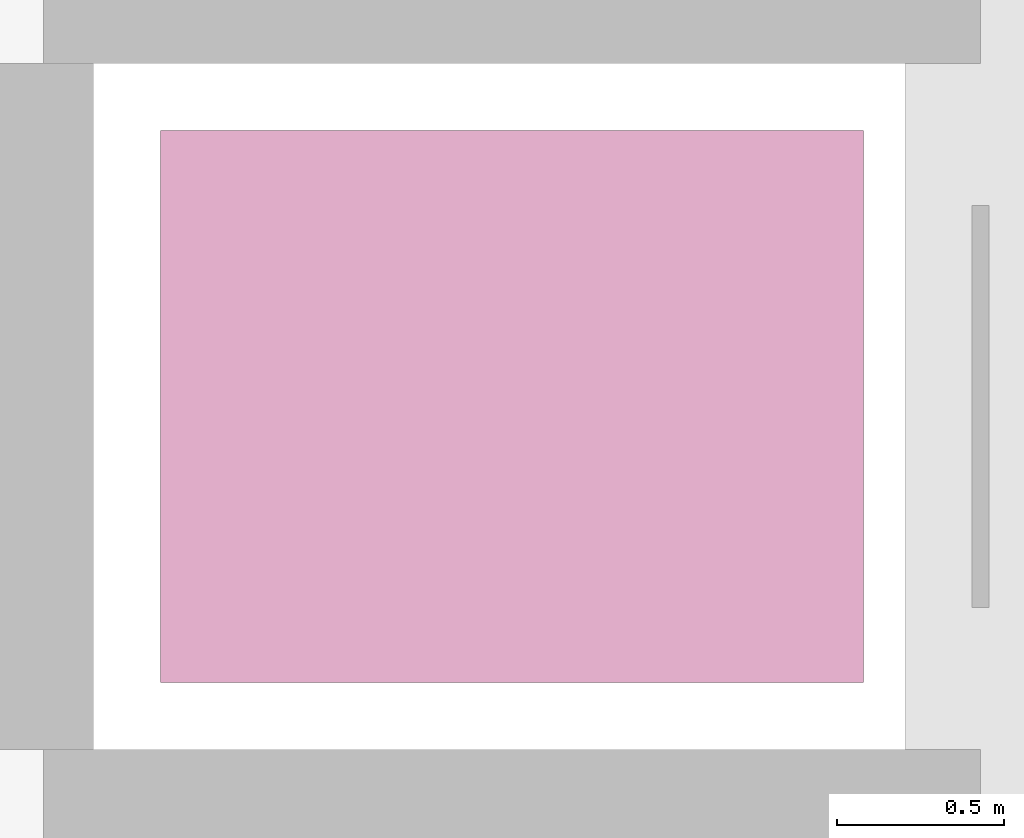
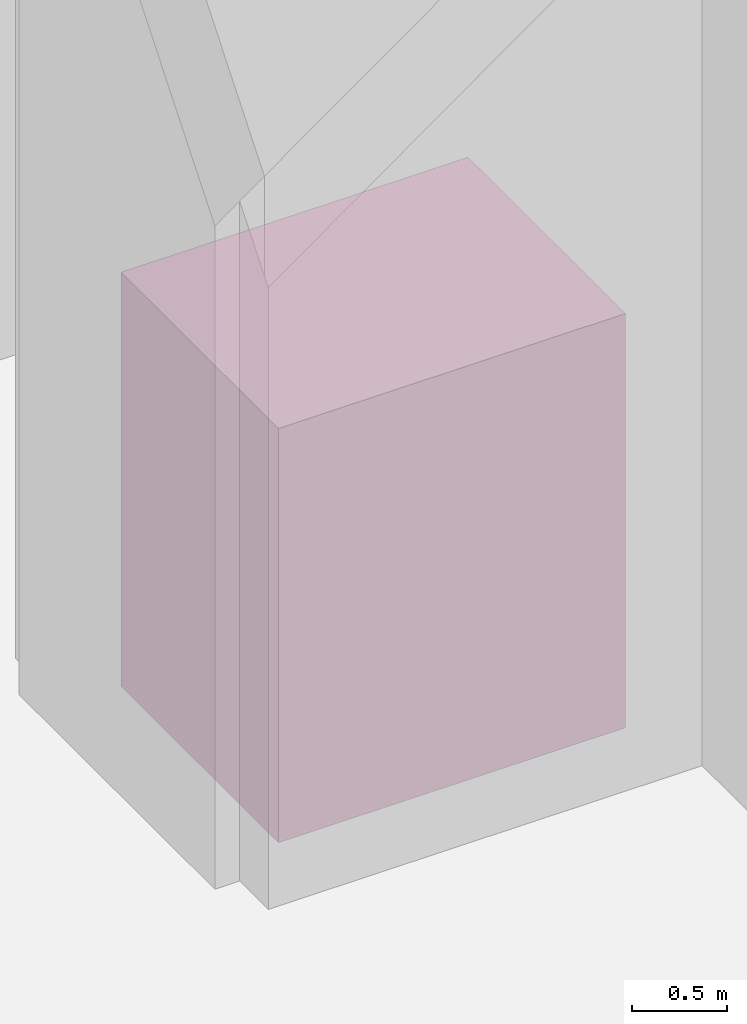
# One storey, part 78 of 78: 1 transport element.
"""IFC4 building model written with IfcOpenShell, lengths in metres."""

from ifc_helpers import new_model, si_unit, direction, frame, origin, origin_2d, place, context, subcontext, project, spatial, rectangle, extrude, material, type_object, element, save


model = new_model("IFC4")

# Units and contexts
model_context = context("Model", 3, precision=1e-05, world=origin(), true_north=direction((0.0, 1.0)))
body_context = subcontext(model_context, "Body", "Model", "MODEL_VIEW")
ifc_project = project(units=[si_unit("LENGTHUNIT", "METRE"), si_unit("AREAUNIT", "SQUARE_METRE"), si_unit("VOLUMEUNIT", "CUBIC_METRE"), si_unit("PLANEANGLEUNIT", "RADIAN"), si_unit("MASSUNIT", "GRAM", prefix="KILO")], contexts=[model_context])

# Site, building, storey
site_placement = place(None, origin())
site = spatial("IfcSite", under=ifc_project, at=site_placement, CompositionType="ELEMENT")
building_placement = place(site_placement, origin())
building = spatial("IfcBuilding", under=site, at=building_placement, Name="Pellamere Symphony Hall", CompositionType="ELEMENT")
storey_placement = place(building_placement, origin())
storey = spatial("IfcBuildingStorey", under=building, at=storey_placement, Name="L00", CompositionType="ELEMENT", Elevation=0.0)

# Transport element
ifc_material = material(Name="Stainless Steel AISI 316 Cab Assembly", Category="steel")
transport_element_type = type_object("IfcTransportElementType", Name="Elevator LF-AR 2100x1650 (1600kg)", PredefinedType="ELEVATOR", material=ifc_material)
transport_element_placement = place(storey_placement, frame((7.0, 50.10009765625, 0.0), z_axis=(0.0, 0.0, 1.0), x_axis=(1.0, 0.0, 0.0)))
element("IfcTransportElement", 1, at=transport_element_placement, inside=storey, type_object=transport_element_type, Name="Elevator PL5", PredefinedType="ELEVATOR", context=body_context, shape_type="SweptSolid", body=[
    extrude(rectangle(XDim=2.10009765625, YDim=1.64990234375, at=origin_2d()), origin(), (0.0, 0.0, 1.0), 2.64990234375),
])

save(model, "model.ifc")
